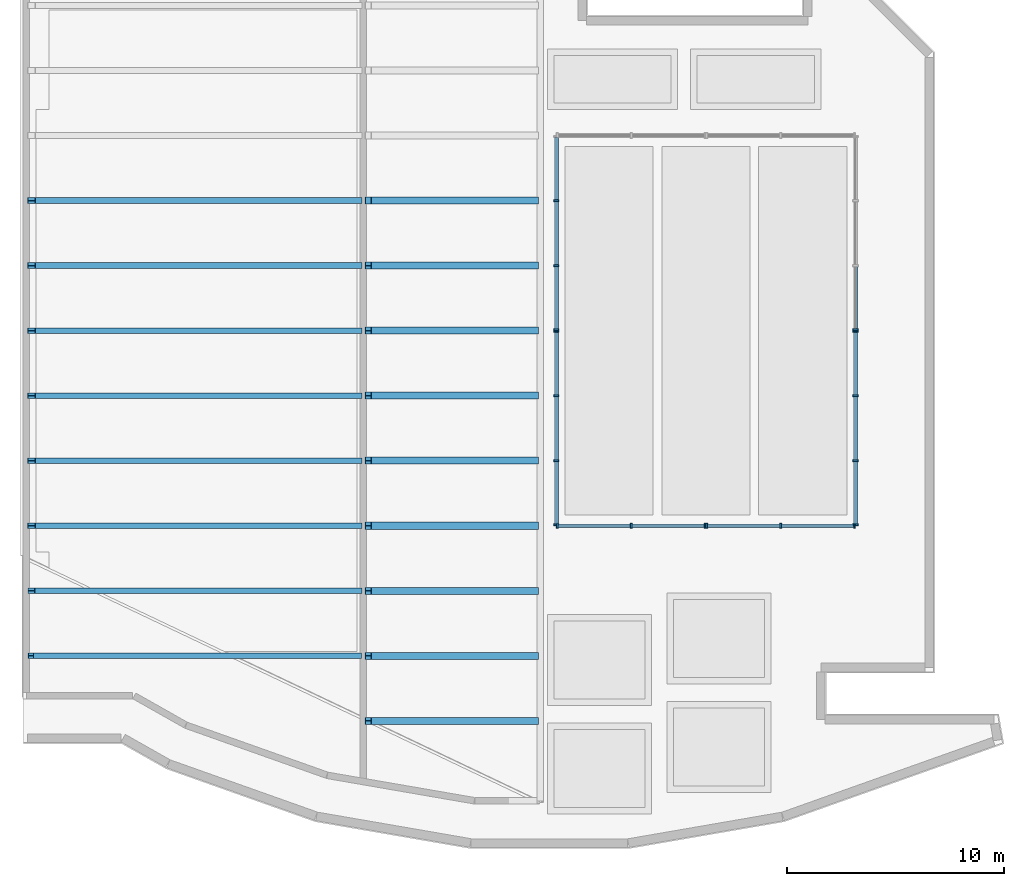
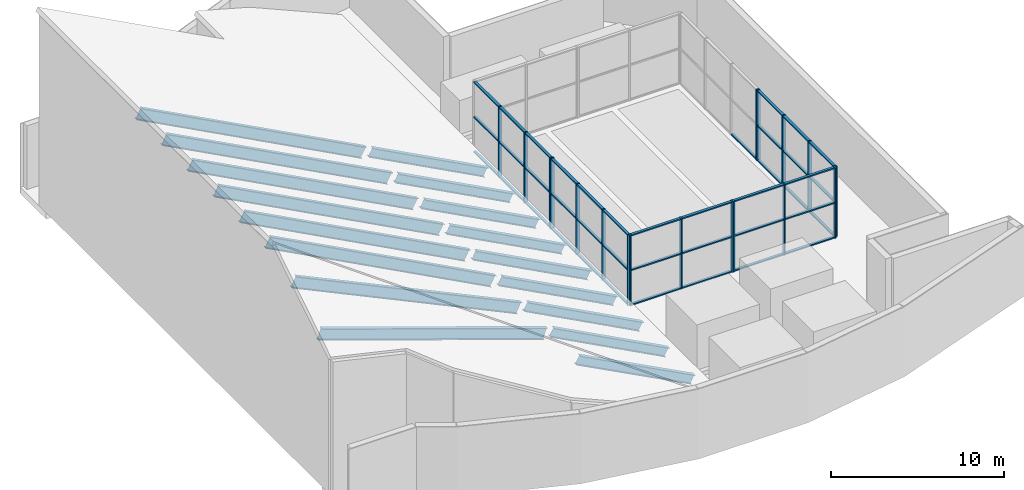
# One storey, part 1 of 6: 58 members, 17 beams, 6 elements without a shape of their own.
"""IFC4 building model written with IfcOpenShell, lengths in metres."""

import ifcopenshell
import ifcopenshell.guid

model = None  # the IFC model being written
_history = None  # IfcOwnerHistory: only IFC2X3 demands one
_inside = {}  # id of a spatial element -> (the spatial element, [elements in it])
_under = {}  # id of a project, library or spatial element -> (it, [spatial elements below it])
_declared = {}  # id of a project -> (the project, [libraries it declares])
_typed = {}  # id of a type object -> (the type object, [elements of that type])
_made_of = {}  # id of a material, layer set ... -> (it, [elements and type objects made of it])


def new_model(schema):
    """Start an empty IFC model of exactly this schema.

    Asked for "IFC4X3", IfcOpenShell would pick the latest addendum, in which some entities
    have other attributes; the version numbers below select the first issue.
    IFC2X3 requires an IfcOwnerHistory on every rooted entity: one is made here for all.
    """
    global model, _history
    if schema == "IFC4X3":
        model = ifcopenshell.file(schema_version=(4, 3, 0, 0))
    else:
        model = ifcopenshell.file(schema=schema)
    _inside.clear()
    _under.clear()
    _declared.clear()
    _typed.clear()
    _made_of.clear()
    _history = None
    if model.schema == "IFC2X3":
        org = make("IfcOrganization", Name="unknown")
        user = make(
            "IfcPersonAndOrganization",
            ThePerson=make("IfcPerson", FamilyName="unknown"),
            TheOrganization=org,
        )
        app = make(
            "IfcApplication",
            ApplicationDeveloper=org,
            Version="unknown",
            ApplicationFullName="unknown",
            ApplicationIdentifier="unknown",
        )
        _history = make(
            "IfcOwnerHistory",
            OwningUser=user,
            OwningApplication=app,
            ChangeAction="ADDED",
            CreationDate=0,
        )
    return model


def make(cls, **values):
    """One entity of the class cls with the attributes given. An attribute that is None is left unset."""
    return model.create_entity(
        cls, **{name: value for name, value in values.items() if value is not None}
    )


def rooted(cls, **values):
    """An entity with a GlobalId (a new one), such as an element, a storey or a relation."""
    return make(cls, GlobalId=ifcopenshell.guid.new(), OwnerHistory=_history, **values)


def si_unit(unit_type, name, prefix=None):
    """IfcSIUnit, for example si_unit("LENGTHUNIT", "METRE", prefix="MILLI")."""
    return make("IfcSIUnit", UnitType=unit_type, Prefix=prefix, Name=name)


def assignment(units):
    """IfcUnitAssignment: the units of a project."""
    return None if units is None else make("IfcUnitAssignment", Units=units)


def point(xyz):
    """IfcCartesianPoint."""
    return None if xyz is None else make("IfcCartesianPoint", Coordinates=xyz)


def direction(xyz):
    """IfcDirection."""
    return None if xyz is None else make("IfcDirection", DirectionRatios=xyz)


def frame(location, z_axis=None, x_axis=None):
    """IfcAxis2Placement3D, a coordinate frame: its origin and axes. An axis left out is left unset."""
    return make(
        "IfcAxis2Placement3D",
        Location=point(location),
        Axis=direction(z_axis),
        RefDirection=direction(x_axis),
    )


def frame_2d(location, x_axis=None):
    """IfcAxis2Placement2D, a coordinate frame in the plane: its origin and x axis."""
    return make(
        "IfcAxis2Placement2D", Location=point(location), RefDirection=direction(x_axis)
    )


def origin():
    """The frame at (0, 0, 0) with its axes left unset."""
    return frame((0.0, 0.0, 0.0))


def origin_2d():
    """The frame at (0, 0) in the plane with its x axis left unset."""
    return frame_2d((0.0, 0.0))


def place(relative_to, where):
    """IfcLocalPlacement: puts the frame where relative to a parent placement (None: the world)."""
    return make(
        "IfcLocalPlacement", PlacementRelTo=relative_to, RelativePlacement=where
    )


def context(
    kind, dimensions, precision=None, world=None, true_north=None, identifier=None
):
    """IfcGeometricRepresentationContext, for example the 3D "Model" context."""
    return make(
        "IfcGeometricRepresentationContext",
        ContextIdentifier=identifier,
        ContextType=kind,
        CoordinateSpaceDimension=dimensions,
        Precision=precision,
        WorldCoordinateSystem=world,
        TrueNorth=true_north,
    )


def subcontext(parent, identifier, kind, view, scale=None):
    """IfcGeometricRepresentationSubContext, for example "Body" below "Model"."""
    return make(
        "IfcGeometricRepresentationSubContext",
        ContextIdentifier=identifier,
        ContextType=kind,
        ParentContext=parent,
        TargetScale=scale,
        TargetView=view,
    )


def project(units=None, contexts=None):
    """IfcProject with its units and contexts."""
    return rooted(
        "IfcProject",
        Name="project",
        RepresentationContexts=contexts,
        UnitsInContext=assignment(units),
    )


def spatial(cls, under=None, at=None, **own):
    """A site, building, storey or space (cls), placed at a placement, below another one or the project."""
    s = rooted(cls, ObjectPlacement=at, **own)
    if under is not None:
        _under.setdefault(under.id(), (under, []))[1].append(s)
    return s


def profile(cls, at=None, kind="AREA", **sizes):
    """A parametric profile (cls). Its sizes go by their IFC names, for example OverallWidth=200.0."""
    return make(cls, ProfileType=kind, Position=at, **sizes)


def rectangle(**sizes):
    """IfcRectangleProfileDef."""
    return profile("IfcRectangleProfileDef", **sizes)


def i_section(**sizes):
    """IfcIShapeProfileDef."""
    return profile("IfcIShapeProfileDef", **sizes)


def extrude(swept, where, along, depth):
    """IfcExtrudedAreaSolid: the profile swept, set in the frame where, extruded along a direction by depth."""
    return make(
        "IfcExtrudedAreaSolid",
        SweptArea=swept,
        Position=where,
        ExtrudedDirection=direction(along),
        Depth=depth,
    )


def shape(context_of_items, identifier, shape_type, items):
    """IfcShapeRepresentation: the items that make up one representation, for example the "Body"."""
    return make(
        "IfcShapeRepresentation",
        ContextOfItems=context_of_items,
        RepresentationIdentifier=identifier,
        RepresentationType=shape_type,
        Items=items,
    )


def material(Name=None, Category=None):
    """IfcMaterial."""
    return make("IfcMaterial", Name=Name, Category=Category)


def material_profile(
    of_material, cross_section, Name=None, Category=None, Priority=None
):
    """IfcMaterialProfile: a cross section and its material."""
    return make(
        "IfcMaterialProfile",
        Name=Name,
        Material=of_material,
        Profile=cross_section,
        Priority=Priority,
        Category=Category,
    )


def profile_set(profiles, Name=None, composite=None):
    """IfcMaterialProfileSet."""
    return make(
        "IfcMaterialProfileSet",
        Name=Name,
        MaterialProfiles=profiles,
        CompositeProfile=composite,
    )


def made_of(thing, what):
    """Note that an element or type object is made of a material, layer set ...; save() writes the relation."""
    if what is not None:
        _made_of.setdefault(what.id(), (what, []))[1].append(thing)
    return thing


def type_object(cls, material=None, **own):
    """A type object (cls), such as IfcWallType, which elements share."""
    return made_of(rooted(cls, **own), material)


def element(
    cls,
    number,
    at=None,
    inside=None,
    cuts=None,
    type_object=None,
    material=None,
    context=None,
    identifier="Body",
    shape_type=None,
    held_by="IfcProductDefinitionShape",
    body=None,
    shapes=None,
    **own,
):
    """One element of the class cls, such as IfcWall. Its Tag is "e" and its number.

    at: its placement. inside: the storey or other place that contains it. cuts: it is an
    opening in that element (IfcRelVoidsElement). A single representation is given by context,
    identifier, shape_type and body (its items); several are given by shapes. held_by: the class
    of the entity that holds the representations. save() writes the other relations.
    """
    e = rooted(cls, Tag="e%d" % number, ObjectPlacement=at, **own)
    if body is not None:
        shapes = [shape(context, identifier, shape_type, body)]
    if shapes is not None:
        e.Representation = make(held_by, Representations=shapes)
    if inside is not None:
        _inside.setdefault(inside.id(), (inside, []))[1].append(e)
    if cuts is not None:
        rooted(
            "IfcRelVoidsElement", RelatingBuildingElement=cuts, RelatedOpeningElement=e
        )
    if type_object is not None:
        _typed.setdefault(type_object.id(), (type_object, []))[1].append(e)
    return made_of(e, material)


def aggregate(whole, parts):
    """IfcRelAggregates: a whole, such as a stair, and the parts it consists of."""
    return rooted("IfcRelAggregates", RelatingObject=whole, RelatedObjects=parts)


def save(model, path):
    """Write the relations noted so far, then the file.

    IfcRelAggregates (storeys below a building ...), IfcRelContainedInSpatialStructure (elements
    in a storey), IfcRelDefinesByType, IfcRelAssociatesMaterial and IfcRelDeclares: one each for
    every whole, place, type object, material and project.
    """
    for whole, parts in _under.values():
        aggregate(whole, parts)
    for where, things in _inside.values():
        rooted(
            "IfcRelContainedInSpatialStructure",
            RelatedElements=things,
            RelatingStructure=where,
        )
    for kind, things in _typed.values():
        rooted("IfcRelDefinesByType", RelatedObjects=things, RelatingType=kind)
    for what, things in _made_of.values():
        rooted("IfcRelAssociatesMaterial", RelatedObjects=things, RelatingMaterial=what)
    for by, libraries in _declared.values():
        rooted("IfcRelDeclares", RelatingContext=by, RelatedDefinitions=libraries)
    model.write(path)


model = new_model("IFC4")

# Units and contexts
model_context = context("Model", 3, precision=1e-05, world=origin(), true_north=direction((0.0, 1.0)))
body_context = subcontext(model_context, "Body", "Model", "MODEL_VIEW")
ifc_project = project(units=[si_unit("LENGTHUNIT", "METRE"), si_unit("AREAUNIT", "SQUARE_METRE"), si_unit("VOLUMEUNIT", "CUBIC_METRE"), si_unit("PLANEANGLEUNIT", "RADIAN"), si_unit("MASSUNIT", "GRAM", prefix="KILO")], contexts=[model_context])

# Site, building, storey
site_placement = place(None, origin())
site = spatial("IfcSite", under=ifc_project, at=site_placement, CompositionType="ELEMENT")
building_placement = place(site_placement, origin())
building = spatial("IfcBuilding", under=site, at=building_placement, Name="Cypress Arch Tower", CompositionType="ELEMENT")
storey_placement = place(building_placement, frame((0.0, 0.0, 359.0)))
storey = spatial("IfcBuildingStorey", under=building, at=storey_placement, Name="ROOF", CompositionType="ELEMENT", Elevation=359.0)

# Curtain wall, members
ifc_material_1 = material(Name="Anodised aluminium, bronze finish, clear laminated double glazing", Category="aluminium")
curtain_wall_type = type_object("IfcCurtainWallType", Name="Curtain wall CW4 atrium enclosure", PredefinedType="NOTDEFINED", material=ifc_material_1)
curtain_wall_1_placement = place(storey_placement, origin())
curtain_wall_1 = element("IfcCurtainWall", 1, at=curtain_wall_1_placement, inside=storey, type_object=curtain_wall_type, Name="Curtain wall lantern 1.1", PredefinedType="NOTDEFINED")
ifc_material_2 = material(Name="Anodised aluminium, bronze finish", Category="aluminium")
ifc_material_profile_1 = material_profile(ifc_material_2, rectangle(XDim=0.239990234375, YDim=0.0849609375, at=origin_2d()), Name="Mullion 85x240")
ifc_profile_set_1 = profile_set([ifc_material_profile_1], Name="Anodised aluminium, bronze finish")
member_type_1 = type_object("IfcMemberType", Name="Mullion CW4 85x240", PredefinedType="MULLION", material=ifc_profile_set_1)
member_1_placement = place(storey_placement, frame((-5.357421875, -9.0, 0.0), z_axis=(0.0, 0.0, 1.0), x_axis=(0.0, 1.0, 0.0)))
member_1 = element("IfcMember", 2, at=member_1_placement, type_object=member_type_1, Name="CW4 mullion 1", PredefinedType="MULLION", context=body_context, shape_type="SweptSolid", body=[
    extrude(rectangle(XDim=0.239990234375, YDim=0.0849609375, at=origin_2d()), origin(), (0.0, 0.0, 1.0), 5.0),
])
member_2_placement = place(storey_placement, frame((-1.949951171875, -9.0, 0.0), z_axis=(0.0, 0.0, 1.0), x_axis=(0.0, 1.0, 0.0)))
member_2 = element("IfcMember", 3, at=member_2_placement, type_object=member_type_1, Name="CW4 mullion 2", PredefinedType="MULLION", context=body_context, shape_type="SweptSolid", body=[
    extrude(rectangle(XDim=0.239990234375, YDim=0.0849609375, at=origin_2d()), origin(), (0.0, 0.0, 1.0), 5.0),
])
member_3_placement = place(storey_placement, frame((1.45751953125, -9.0, 0.0), z_axis=(0.0, 0.0, 1.0), x_axis=(0.0, 1.0, 0.0)))
member_3 = element("IfcMember", 4, at=member_3_placement, type_object=member_type_1, Name="CW4 mullion 3", PredefinedType="MULLION", context=body_context, shape_type="SweptSolid", body=[
    extrude(rectangle(XDim=0.239990234375, YDim=0.0849609375, at=origin_2d()), origin(), (0.0, 0.0, 1.0), 5.0),
])

curtain_wall_2_placement = place(storey_placement, origin())
curtain_wall_2 = element("IfcCurtainWall", 5, at=curtain_wall_2_placement, inside=storey, type_object=curtain_wall_type, Name="Curtain wall lantern 1.2", PredefinedType="NOTDEFINED")
member_4_placement = place(storey_placement, frame((1.54248046875, -9.0, 0.0), z_axis=(0.0, 0.0, 1.0), x_axis=(0.0, 1.0, 0.0)))
member_4 = element("IfcMember", 6, at=member_4_placement, type_object=member_type_1, Name="CW4 mullion 1", PredefinedType="MULLION", context=body_context, shape_type="SweptSolid", body=[
    extrude(rectangle(XDim=0.239990234375, YDim=0.0849609375, at=origin_2d()), origin(), (0.0, 0.0, 1.0), 5.0),
])
member_5_placement = place(storey_placement, frame((4.949951171875, -9.0, 0.0), z_axis=(0.0, 0.0, 1.0), x_axis=(0.0, 1.0, 0.0)))
member_5 = element("IfcMember", 7, at=member_5_placement, type_object=member_type_1, Name="CW4 mullion 2", PredefinedType="MULLION", context=body_context, shape_type="SweptSolid", body=[
    extrude(rectangle(XDim=0.239990234375, YDim=0.0849609375, at=origin_2d()), origin(), (0.0, 0.0, 1.0), 5.0),
])
member_6_placement = place(storey_placement, frame((8.357421875, -9.0, 0.0), z_axis=(0.0, 0.0, 1.0), x_axis=(0.0, 1.0, 0.0)))
member_6 = element("IfcMember", 8, at=member_6_placement, type_object=member_type_1, Name="CW4 mullion 3", PredefinedType="MULLION", context=body_context, shape_type="SweptSolid", body=[
    extrude(rectangle(XDim=0.239990234375, YDim=0.0849609375, at=origin_2d()), origin(), (0.0, 0.0, 1.0), 5.0),
])

curtain_wall_3_placement = place(storey_placement, origin())
curtain_wall_3 = element("IfcCurtainWall", 9, at=curtain_wall_3_placement, inside=storey, type_object=curtain_wall_type, Name="Curtain wall lantern 2.1", PredefinedType="NOTDEFINED")
member_7_placement = place(storey_placement, frame((8.39990234375, -8.95751953125, 0.0), z_axis=(0.0, 0.0, 1.0), x_axis=(-1.0, 0.0, 0.0)))
member_7 = element("IfcMember", 10, at=member_7_placement, type_object=member_type_1, Name="CW4 mullion 1", PredefinedType="MULLION", context=body_context, shape_type="SweptSolid", body=[
    extrude(rectangle(XDim=0.239990234375, YDim=0.0849609375, at=origin_2d()), origin(), (0.0, 0.0, 1.0), 5.0),
])
member_8_placement = place(storey_placement, frame((8.39990234375, -6.0, 0.0), z_axis=(0.0, 0.0, 1.0), x_axis=(-1.0, 0.0, 0.0)))
member_8 = element("IfcMember", 11, at=member_8_placement, type_object=member_type_1, Name="CW4 mullion 2", PredefinedType="MULLION", context=body_context, shape_type="SweptSolid", body=[
    extrude(rectangle(XDim=0.239990234375, YDim=0.0849609375, at=origin_2d()), origin(), (0.0, 0.0, 1.0), 5.0),
])
member_9_placement = place(storey_placement, frame((8.39990234375, -3.0, 0.0), z_axis=(0.0, 0.0, 1.0), x_axis=(-1.0, 0.0, 0.0)))
member_9 = element("IfcMember", 12, at=member_9_placement, type_object=member_type_1, Name="CW4 mullion 3", PredefinedType="MULLION", context=body_context, shape_type="SweptSolid", body=[
    extrude(rectangle(XDim=0.239990234375, YDim=0.0849609375, at=origin_2d()), origin(), (0.0, 0.0, 1.0), 5.0),
])
member_10_placement = place(storey_placement, frame((8.39990234375, -0.04248046875, 0.0), z_axis=(0.0, 0.0, 1.0), x_axis=(-1.0, 0.0, 0.0)))
member_10 = element("IfcMember", 13, at=member_10_placement, type_object=member_type_1, Name="CW4 mullion 4", PredefinedType="MULLION", context=body_context, shape_type="SweptSolid", body=[
    extrude(rectangle(XDim=0.239990234375, YDim=0.0849609375, at=origin_2d()), origin(), (0.0, 0.0, 1.0), 5.0),
])

# Curtain wall, member
curtain_wall_4_placement = place(storey_placement, origin())
curtain_wall_4 = element("IfcCurtainWall", 14, at=curtain_wall_4_placement, inside=storey, type_object=curtain_wall_type, Name="Curtain wall lantern 2.2", PredefinedType="NOTDEFINED")
member_11_placement = place(storey_placement, frame((8.39990234375, 0.04248046875, 0.0), z_axis=(0.0, 0.0, 1.0), x_axis=(-1.0, 0.0, 0.0)))
member_11 = element("IfcMember", 15, at=member_11_placement, type_object=member_type_1, Name="CW4 mullion 1", PredefinedType="MULLION", context=body_context, shape_type="SweptSolid", body=[
    extrude(rectangle(XDim=0.239990234375, YDim=0.0849609375, at=origin_2d()), origin(), (0.0, 0.0, 1.0), 5.0),
])

# Curtain wall, members
curtain_wall_5_placement = place(storey_placement, origin())
curtain_wall_5 = element("IfcCurtainWall", 16, at=curtain_wall_5_placement, inside=storey, type_object=curtain_wall_type, Name="Curtain wall lantern 4.1", PredefinedType="NOTDEFINED")
member_12_placement = place(storey_placement, frame((-5.39990234375, 6.0, 0.0), z_axis=(0.0, 0.0, 1.0), x_axis=(1.0, 0.0, 0.0)))
member_12 = element("IfcMember", 17, at=member_12_placement, type_object=member_type_1, Name="CW4 mullion 2", PredefinedType="MULLION", context=body_context, shape_type="SweptSolid", body=[
    extrude(rectangle(XDim=0.239990234375, YDim=0.0849609375, at=origin_2d()), origin(), (0.0, 0.0, 1.0), 5.0),
])
member_13_placement = place(storey_placement, frame((-5.39990234375, 3.0, 0.0), z_axis=(0.0, 0.0, 1.0), x_axis=(1.0, 0.0, 0.0)))
member_13 = element("IfcMember", 18, at=member_13_placement, type_object=member_type_1, Name="CW4 mullion 3", PredefinedType="MULLION", context=body_context, shape_type="SweptSolid", body=[
    extrude(rectangle(XDim=0.239990234375, YDim=0.0849609375, at=origin_2d()), origin(), (0.0, 0.0, 1.0), 5.0),
])
member_14_placement = place(storey_placement, frame((-5.39990234375, 0.04248046875, 0.0), z_axis=(0.0, 0.0, 1.0), x_axis=(1.0, 0.0, 0.0)))
member_14 = element("IfcMember", 19, at=member_14_placement, type_object=member_type_1, Name="CW4 mullion 4", PredefinedType="MULLION", context=body_context, shape_type="SweptSolid", body=[
    extrude(rectangle(XDim=0.239990234375, YDim=0.0849609375, at=origin_2d()), origin(), (0.0, 0.0, 1.0), 5.0),
])

curtain_wall_6_placement = place(storey_placement, origin())
curtain_wall_6 = element("IfcCurtainWall", 20, at=curtain_wall_6_placement, inside=storey, type_object=curtain_wall_type, Name="Curtain wall lantern 4.2", PredefinedType="NOTDEFINED")
member_15_placement = place(storey_placement, frame((-5.39990234375, -0.04248046875, 0.0), z_axis=(0.0, 0.0, 1.0), x_axis=(1.0, 0.0, 0.0)))
member_15 = element("IfcMember", 21, at=member_15_placement, type_object=member_type_1, Name="CW4 mullion 1", PredefinedType="MULLION", context=body_context, shape_type="SweptSolid", body=[
    extrude(rectangle(XDim=0.239990234375, YDim=0.0849609375, at=origin_2d()), origin(), (0.0, 0.0, 1.0), 5.0),
])
member_16_placement = place(storey_placement, frame((-5.39990234375, -3.0, 0.0), z_axis=(0.0, 0.0, 1.0), x_axis=(1.0, 0.0, 0.0)))
member_16 = element("IfcMember", 22, at=member_16_placement, type_object=member_type_1, Name="CW4 mullion 2", PredefinedType="MULLION", context=body_context, shape_type="SweptSolid", body=[
    extrude(rectangle(XDim=0.239990234375, YDim=0.0849609375, at=origin_2d()), origin(), (0.0, 0.0, 1.0), 5.0),
])
member_17_placement = place(storey_placement, frame((-5.39990234375, -6.0, 0.0), z_axis=(0.0, 0.0, 1.0), x_axis=(1.0, 0.0, 0.0)))
member_17 = element("IfcMember", 23, at=member_17_placement, type_object=member_type_1, Name="CW4 mullion 3", PredefinedType="MULLION", context=body_context, shape_type="SweptSolid", body=[
    extrude(rectangle(XDim=0.239990234375, YDim=0.0849609375, at=origin_2d()), origin(), (0.0, 0.0, 1.0), 5.0),
])
member_18_placement = place(storey_placement, frame((-5.39990234375, -8.95751953125, 0.0), z_axis=(0.0, 0.0, 1.0), x_axis=(1.0, 0.0, 0.0)))
member_18 = element("IfcMember", 24, at=member_18_placement, type_object=member_type_1, Name="CW4 mullion 4", PredefinedType="MULLION", context=body_context, shape_type="SweptSolid", body=[
    extrude(rectangle(XDim=0.239990234375, YDim=0.0849609375, at=origin_2d()), origin(), (0.0, 0.0, 1.0), 5.0),
])

# Beams
ifc_material_3 = material(Name="Steel ASTM A992", Category="steel")
ifc_material_profile_2 = material_profile(ifc_material_3, i_section(OverallWidth=0.3251953125, OverallDepth=0.612060546875, WebThickness=0.0126953125, FlangeThickness=0.01904296875, at=origin_2d()), Name="W24x104")
ifc_profile_set_2 = profile_set([ifc_material_profile_2], Name="Steel ASTM A992")
beam_type_1 = type_object("IfcBeamType", Name="Roof rafter W24x104 Steel ASTM A992", PredefinedType="BEAM", material=ifc_profile_set_2)
beam_1_placement = place(storey_placement, frame((-14.07861328125, -18.0, 4.665771484375), z_axis=(0.884875048929, 0.0, -0.465828453171), x_axis=(0.0, 1.0, 0.0)))
element("IfcBeam", 25, at=beam_1_placement, inside=storey, type_object=beam_type_1, Name="Roof rafter 12", PredefinedType="BEAM", context=body_context, shape_type="SweptSolid", body=[
    extrude(i_section(OverallWidth=0.3251953125, OverallDepth=0.612060546875, WebThickness=0.0126953125, FlangeThickness=0.01904296875, at=origin_2d()), origin(), (0.0, 0.0, 1.0), 8.7099609375),
])
for number, where, z_axis, x_axis, name in (
    (26, (-14.078125, -15.0, 4.808837890625), (0.882952326067, 0.0, -0.469462660807), (0.0, 1.0, 0.0), "Roof rafter 13"),
    (27, (-14.078125, -12.0, 4.808837890625), (0.882952326067, 0.0, -0.469462660807), (0.0, 1.0, 0.0), "Roof rafter 14"),
    (28, (-14.078125, -9.0, 4.808837890625), (0.882952326067, 0.0, -0.469462660807), (0.0, 1.0, 0.0), "Roof rafter 15"),
    (29, (-14.078125, -6.0, 4.808837890625), (0.882952326067, 0.0, -0.469462660807), (0.0, 1.0, 0.0), "Roof rafter 16"),
    (30, (-14.078125, -3.0, 4.808837890625), (0.882952326067, 0.0, -0.469462660807), (0.0, 1.0, 0.0), "Roof rafter 17"),
    (31, (-14.078125, 0.0, 4.808837890625), (0.882952326067, 0.0, -0.469462660807), (0.0, 1.0, 0.0), "Roof rafter 18"),
    (32, (-14.078125, 3.0, 4.808837890625), (0.882952326067, 0.0, -0.469462660807), (0.0, 1.0, 0.0), "Roof rafter 19"),
    (33, (-14.078125, 6.0, 4.808837890625), (0.882952326067, 0.0, -0.469462660807), (0.0, 1.0, 0.0), "Roof rafter 20"),
):
    element("IfcBeam", number, at=place(storey_placement, frame(where, z_axis=z_axis, x_axis=x_axis)), inside=storey, type_object=beam_type_1, Name=name, PredefinedType="BEAM", context=body_context, shape_type="SweptSolid", body=[
        extrude(i_section(OverallWidth=0.3251953125, OverallDepth=0.612060546875, WebThickness=0.0126953125, FlangeThickness=0.01904296875, at=origin_2d()), origin(), (0.0, 0.0, 1.0), 8.727783203125),
    ])
ifc_material_4 = material(Name="Steel ASTM A992", Category="steel")
ifc_material_profile_3 = material_profile(ifc_material_4, i_section(OverallWidth=0.2666015625, OverallDepth=0.77978515625, WebThickness=0.0166015625, FlangeThickness=0.030029296875, at=origin_2d()), Name="W30x148")
ifc_profile_set_3 = profile_set([ifc_material_profile_3], Name="Steel ASTM A992")
beam_type_2 = type_object("IfcBeamType", Name="Roof rafter W30x148 Steel ASTM A992", PredefinedType="BEAM", material=ifc_profile_set_3)
beam_2_placement = place(storey_placement, frame((-29.63623046875, -15.0, 10.12158203125), z_axis=(0.944816748082, 0.0, -0.327599317069), x_axis=(0.0, 1.0, 0.0)))
element("IfcBeam", 34, at=beam_2_placement, inside=storey, type_object=beam_type_2, Name="Roof rafter 1", PredefinedType="BEAM", context=body_context, shape_type="SweptSolid", body=[
    extrude(i_section(OverallWidth=0.2666015625, OverallDepth=0.77978515625, WebThickness=0.0166015625, FlangeThickness=0.030029296875, at=origin_2d()), origin(), (0.0, 0.0, 1.0), 16.005615234375),
])
beam_3_placement = place(storey_placement, frame((-29.616943359375, -12.0, 11.98779296875), z_axis=(0.904521528808, 0.0, -0.426427958655), x_axis=(0.0, 1.0, 0.0)))
element("IfcBeam", 35, at=beam_3_placement, inside=storey, type_object=beam_type_2, Name="Roof rafter 2", PredefinedType="BEAM", context=body_context, shape_type="SweptSolid", body=[
    extrude(i_section(OverallWidth=0.2666015625, OverallDepth=0.77978515625, WebThickness=0.0166015625, FlangeThickness=0.030029296875, at=origin_2d()), origin(), (0.0, 0.0, 1.0), 16.676025390625),
])
for number, where, z_axis, x_axis, name in (
    (36, (-29.6083984375, -9.0, 12.971435546875), (0.882947093895, 0.0, -0.4694725012), (0.0, 1.0, 0.0), "Roof rafter 3"),
    (37, (-29.6083984375, -6.0, 12.971435546875), (0.882947093895, 0.0, -0.4694725012), (0.0, 1.0, 0.0), "Roof rafter 4"),
    (38, (-29.6083984375, -3.0, 12.971435546875), (0.882947093895, 0.0, -0.4694725012), (0.0, 1.0, 0.0), "Roof rafter 5"),
    (39, (-29.6083984375, 0.0, 12.971435546875), (0.882947093895, 0.0, -0.4694725012), (0.0, 1.0, 0.0), "Roof rafter 6"),
    (40, (-29.6083984375, 3.0, 12.971435546875), (0.882947093895, 0.0, -0.4694725012), (0.0, 1.0, 0.0), "Roof rafter 7"),
    (41, (-29.6083984375, 6.0, 12.971435546875), (0.882947093895, 0.0, -0.4694725012), (0.0, 1.0, 0.0), "Roof rafter 8"),
):
    element("IfcBeam", number, at=place(storey_placement, frame(where, z_axis=z_axis, x_axis=x_axis)), inside=storey, type_object=beam_type_2, Name=name, PredefinedType="BEAM", context=body_context, shape_type="SweptSolid", body=[
        extrude(i_section(OverallWidth=0.2666015625, OverallDepth=0.77978515625, WebThickness=0.0166015625, FlangeThickness=0.030029296875, at=origin_2d()), origin(), (0.0, 0.0, 1.0), 17.064208984375),
    ])

# Member
ifc_material_5 = material(Name="Anodised aluminium, bronze finish", Category="aluminium")
ifc_material_profile_4 = material_profile(ifc_material_5, rectangle(XDim=0.179931640625, YDim=0.0849609375, at=origin_2d()), Name="Transom 85x180")
ifc_profile_set_4 = profile_set([ifc_material_profile_4], Name="Anodised aluminium, bronze finish")
member_type_2 = type_object("IfcMemberType", Name="Transom CW4 85x180", PredefinedType="USERDEFINED", material=ifc_profile_set_4)
member_19_placement = place(storey_placement, frame((-5.31494140625, -9.0, 0.04248046875), z_axis=(1.0, 0.0, 0.0), x_axis=(0.0, 1.0, 0.0)))
member_19 = element("IfcMember", 42, at=member_19_placement, type_object=member_type_2, Name="CW4 transom 1.1", ObjectType="TRANSOM", PredefinedType="USERDEFINED", context=body_context, shape_type="SweptSolid", body=[
    extrude(rectangle(XDim=0.179931640625, YDim=0.0849609375, at=origin_2d()), origin(), (0.0, 0.0, 1.0), 3.322509765625),
])

member_20_placement = place(storey_placement, frame((-5.31494140625, -9.0, 2.5), z_axis=(1.0, 0.0, 0.0), x_axis=(0.0, 1.0, 0.0)))
member_20 = element("IfcMember", 43, at=member_20_placement, type_object=member_type_2, Name="CW4 transom 1.2", ObjectType="TRANSOM", PredefinedType="USERDEFINED", context=body_context, shape_type="SweptSolid", body=[
    extrude(rectangle(XDim=0.179931640625, YDim=0.0849609375, at=origin_2d()), origin(), (0.0, 0.0, 1.0), 3.322509765625),
])

member_21_placement = place(storey_placement, frame((-5.31494140625, -9.0, 4.95751953125), z_axis=(1.0, 0.0, 0.0), x_axis=(0.0, 1.0, 0.0)))
member_21 = element("IfcMember", 44, at=member_21_placement, type_object=member_type_2, Name="CW4 transom 1.3", ObjectType="TRANSOM", PredefinedType="USERDEFINED", context=body_context, shape_type="SweptSolid", body=[
    extrude(rectangle(XDim=0.179931640625, YDim=0.0849609375, at=origin_2d()), origin(), (0.0, 0.0, 1.0), 3.322509765625),
])

member_22_placement = place(storey_placement, frame((-1.907470703125, -9.0, 0.04248046875), z_axis=(1.0, 0.0, 0.0), x_axis=(0.0, 1.0, 0.0)))
member_22 = element("IfcMember", 45, at=member_22_placement, type_object=member_type_2, Name="CW4 transom 2.1", ObjectType="TRANSOM", PredefinedType="USERDEFINED", context=body_context, shape_type="SweptSolid", body=[
    extrude(rectangle(XDim=0.179931640625, YDim=0.0849609375, at=origin_2d()), origin(), (0.0, 0.0, 1.0), 3.322509765625),
])

member_23_placement = place(storey_placement, frame((-1.907470703125, -9.0, 2.5), z_axis=(1.0, 0.0, 0.0), x_axis=(0.0, 1.0, 0.0)))
member_23 = element("IfcMember", 46, at=member_23_placement, type_object=member_type_2, Name="CW4 transom 2.2", ObjectType="TRANSOM", PredefinedType="USERDEFINED", context=body_context, shape_type="SweptSolid", body=[
    extrude(rectangle(XDim=0.179931640625, YDim=0.0849609375, at=origin_2d()), origin(), (0.0, 0.0, 1.0), 3.322509765625),
])

member_24_placement = place(storey_placement, frame((-1.907470703125, -9.0, 4.95751953125), z_axis=(1.0, 0.0, 0.0), x_axis=(0.0, 1.0, 0.0)))
member_24 = element("IfcMember", 47, at=member_24_placement, type_object=member_type_2, Name="CW4 transom 2.3", ObjectType="TRANSOM", PredefinedType="USERDEFINED", context=body_context, shape_type="SweptSolid", body=[
    extrude(rectangle(XDim=0.179931640625, YDim=0.0849609375, at=origin_2d()), origin(), (0.0, 0.0, 1.0), 3.322509765625),
])

aggregate(curtain_wall_1, [member_1, member_2, member_3, member_19, member_20, member_21, member_22, member_23, member_24])

member_25_placement = place(storey_placement, frame((1.5849609375, -9.0, 0.04248046875), z_axis=(1.0, 0.0, 0.0), x_axis=(0.0, 1.0, 0.0)))
member_25 = element("IfcMember", 48, at=member_25_placement, type_object=member_type_2, Name="CW4 transom 1.1", ObjectType="TRANSOM", PredefinedType="USERDEFINED", context=body_context, shape_type="SweptSolid", body=[
    extrude(rectangle(XDim=0.179931640625, YDim=0.0849609375, at=origin_2d()), origin(), (0.0, 0.0, 1.0), 3.322509765625),
])

member_26_placement = place(storey_placement, frame((1.5849609375, -9.0, 2.5), z_axis=(1.0, 0.0, 0.0), x_axis=(0.0, 1.0, 0.0)))
member_26 = element("IfcMember", 49, at=member_26_placement, type_object=member_type_2, Name="CW4 transom 1.2", ObjectType="TRANSOM", PredefinedType="USERDEFINED", context=body_context, shape_type="SweptSolid", body=[
    extrude(rectangle(XDim=0.179931640625, YDim=0.0849609375, at=origin_2d()), origin(), (0.0, 0.0, 1.0), 3.322509765625),
])

member_27_placement = place(storey_placement, frame((1.5849609375, -9.0, 4.95751953125), z_axis=(1.0, 0.0, 0.0), x_axis=(0.0, 1.0, 0.0)))
member_27 = element("IfcMember", 50, at=member_27_placement, type_object=member_type_2, Name="CW4 transom 1.3", ObjectType="TRANSOM", PredefinedType="USERDEFINED", context=body_context, shape_type="SweptSolid", body=[
    extrude(rectangle(XDim=0.179931640625, YDim=0.0849609375, at=origin_2d()), origin(), (0.0, 0.0, 1.0), 3.322509765625),
])

member_28_placement = place(storey_placement, frame((4.992431640625, -9.0, 0.04248046875), z_axis=(1.0, 0.0, 0.0), x_axis=(0.0, 1.0, 0.0)))
member_28 = element("IfcMember", 51, at=member_28_placement, type_object=member_type_2, Name="CW4 transom 2.1", ObjectType="TRANSOM", PredefinedType="USERDEFINED", context=body_context, shape_type="SweptSolid", body=[
    extrude(rectangle(XDim=0.179931640625, YDim=0.0849609375, at=origin_2d()), origin(), (0.0, 0.0, 1.0), 3.322509765625),
])

member_29_placement = place(storey_placement, frame((4.992431640625, -9.0, 2.5), z_axis=(1.0, 0.0, 0.0), x_axis=(0.0, 1.0, 0.0)))
member_29 = element("IfcMember", 52, at=member_29_placement, type_object=member_type_2, Name="CW4 transom 2.2", ObjectType="TRANSOM", PredefinedType="USERDEFINED", context=body_context, shape_type="SweptSolid", body=[
    extrude(rectangle(XDim=0.179931640625, YDim=0.0849609375, at=origin_2d()), origin(), (0.0, 0.0, 1.0), 3.322509765625),
])

member_30_placement = place(storey_placement, frame((4.992431640625, -9.0, 4.95751953125), z_axis=(1.0, 0.0, 0.0), x_axis=(0.0, 1.0, 0.0)))
member_30 = element("IfcMember", 53, at=member_30_placement, type_object=member_type_2, Name="CW4 transom 2.3", ObjectType="TRANSOM", PredefinedType="USERDEFINED", context=body_context, shape_type="SweptSolid", body=[
    extrude(rectangle(XDim=0.179931640625, YDim=0.0849609375, at=origin_2d()), origin(), (0.0, 0.0, 1.0), 3.322509765625),
])

aggregate(curtain_wall_2, [member_4, member_5, member_6, member_25, member_26, member_27, member_28, member_29, member_30])

member_31_placement = place(storey_placement, frame((8.39990234375, -8.9150390625, 0.04248046875), z_axis=(0.0, 1.0, 0.0), x_axis=(-1.0, 0.0, 0.0)))
member_31 = element("IfcMember", 54, at=member_31_placement, type_object=member_type_2, Name="CW4 transom 1.1", ObjectType="TRANSOM", PredefinedType="USERDEFINED", context=body_context, shape_type="SweptSolid", body=[
    extrude(rectangle(XDim=0.179931640625, YDim=0.0849609375, at=origin_2d()), origin(), (0.0, 0.0, 1.0), 2.87255859375),
])

member_32_placement = place(storey_placement, frame((8.39990234375, -8.9150390625, 2.5), z_axis=(0.0, 1.0, 0.0), x_axis=(-1.0, 0.0, 0.0)))
member_32 = element("IfcMember", 55, at=member_32_placement, type_object=member_type_2, Name="CW4 transom 1.2", ObjectType="TRANSOM", PredefinedType="USERDEFINED", context=body_context, shape_type="SweptSolid", body=[
    extrude(rectangle(XDim=0.179931640625, YDim=0.0849609375, at=origin_2d()), origin(), (0.0, 0.0, 1.0), 2.87255859375),
])

member_33_placement = place(storey_placement, frame((8.39990234375, -8.9150390625, 4.95751953125), z_axis=(0.0, 1.0, 0.0), x_axis=(-1.0, 0.0, 0.0)))
member_33 = element("IfcMember", 56, at=member_33_placement, type_object=member_type_2, Name="CW4 transom 1.3", ObjectType="TRANSOM", PredefinedType="USERDEFINED", context=body_context, shape_type="SweptSolid", body=[
    extrude(rectangle(XDim=0.179931640625, YDim=0.0849609375, at=origin_2d()), origin(), (0.0, 0.0, 1.0), 2.87255859375),
])

member_34_placement = place(storey_placement, frame((8.39990234375, -5.95751953125, 0.04248046875), z_axis=(0.0, 1.0, 0.0), x_axis=(-1.0, 0.0, 0.0)))
member_34 = element("IfcMember", 57, at=member_34_placement, type_object=member_type_2, Name="CW4 transom 2.1", ObjectType="TRANSOM", PredefinedType="USERDEFINED", context=body_context, shape_type="SweptSolid", body=[
    extrude(rectangle(XDim=0.179931640625, YDim=0.0849609375, at=origin_2d()), origin(), (0.0, 0.0, 1.0), 2.9150390625),
])

member_35_placement = place(storey_placement, frame((8.39990234375, -5.95751953125, 2.5), z_axis=(0.0, 1.0, 0.0), x_axis=(-1.0, 0.0, 0.0)))
member_35 = element("IfcMember", 58, at=member_35_placement, type_object=member_type_2, Name="CW4 transom 2.2", ObjectType="TRANSOM", PredefinedType="USERDEFINED", context=body_context, shape_type="SweptSolid", body=[
    extrude(rectangle(XDim=0.179931640625, YDim=0.0849609375, at=origin_2d()), origin(), (0.0, 0.0, 1.0), 2.9150390625),
])

member_36_placement = place(storey_placement, frame((8.39990234375, -5.95751953125, 4.95751953125), z_axis=(0.0, 1.0, 0.0), x_axis=(-1.0, 0.0, 0.0)))
member_36 = element("IfcMember", 59, at=member_36_placement, type_object=member_type_2, Name="CW4 transom 2.3", ObjectType="TRANSOM", PredefinedType="USERDEFINED", context=body_context, shape_type="SweptSolid", body=[
    extrude(rectangle(XDim=0.179931640625, YDim=0.0849609375, at=origin_2d()), origin(), (0.0, 0.0, 1.0), 2.9150390625),
])

member_37_placement = place(storey_placement, frame((8.39990234375, -2.95751953125, 0.04248046875), z_axis=(0.0, 1.0, 0.0), x_axis=(-1.0, 0.0, 0.0)))
member_37 = element("IfcMember", 60, at=member_37_placement, type_object=member_type_2, Name="CW4 transom 3.1", ObjectType="TRANSOM", PredefinedType="USERDEFINED", context=body_context, shape_type="SweptSolid", body=[
    extrude(rectangle(XDim=0.179931640625, YDim=0.0849609375, at=origin_2d()), origin(), (0.0, 0.0, 1.0), 2.87255859375),
])

member_38_placement = place(storey_placement, frame((8.39990234375, -2.95751953125, 2.5), z_axis=(0.0, 1.0, 0.0), x_axis=(-1.0, 0.0, 0.0)))
member_38 = element("IfcMember", 61, at=member_38_placement, type_object=member_type_2, Name="CW4 transom 3.2", ObjectType="TRANSOM", PredefinedType="USERDEFINED", context=body_context, shape_type="SweptSolid", body=[
    extrude(rectangle(XDim=0.179931640625, YDim=0.0849609375, at=origin_2d()), origin(), (0.0, 0.0, 1.0), 2.87255859375),
])

member_39_placement = place(storey_placement, frame((8.39990234375, -2.95751953125, 4.95751953125), z_axis=(0.0, 1.0, 0.0), x_axis=(-1.0, 0.0, 0.0)))
member_39 = element("IfcMember", 62, at=member_39_placement, type_object=member_type_2, Name="CW4 transom 3.3", ObjectType="TRANSOM", PredefinedType="USERDEFINED", context=body_context, shape_type="SweptSolid", body=[
    extrude(rectangle(XDim=0.179931640625, YDim=0.0849609375, at=origin_2d()), origin(), (0.0, 0.0, 1.0), 2.87255859375),
])

aggregate(curtain_wall_3, [member_7, member_8, member_9, member_10, member_31, member_32, member_33, member_34, member_35, member_36, member_37, member_38, member_39])

member_40_placement = place(storey_placement, frame((8.39990234375, 0.0849609375, 0.04248046875), z_axis=(0.0, 1.0, 0.0), x_axis=(-1.0, 0.0, 0.0)))
member_40 = element("IfcMember", 63, at=member_40_placement, type_object=member_type_2, Name="CW4 transom 1.1", ObjectType="TRANSOM", PredefinedType="USERDEFINED", context=body_context, shape_type="SweptSolid", body=[
    extrude(rectangle(XDim=0.179931640625, YDim=0.0849609375, at=origin_2d()), origin(), (0.0, 0.0, 1.0), 2.87255859375),
])

aggregate(curtain_wall_4, [member_11, member_40])

member_41_placement = place(storey_placement, frame((-5.39990234375, 8.9150390625, 0.04248046875), z_axis=(0.0, -1.0, 0.0), x_axis=(1.0, 0.0, 0.0)))
member_41 = element("IfcMember", 64, at=member_41_placement, type_object=member_type_2, Name="CW4 transom 1.1", ObjectType="TRANSOM", PredefinedType="USERDEFINED", context=body_context, shape_type="SweptSolid", body=[
    extrude(rectangle(XDim=0.179931640625, YDim=0.0849609375, at=origin_2d()), origin(), (0.0, 0.0, 1.0), 2.87255859375),
])

member_42_placement = place(storey_placement, frame((-5.39990234375, 8.9150390625, 2.5), z_axis=(0.0, -1.0, 0.0), x_axis=(1.0, 0.0, 0.0)))
member_42 = element("IfcMember", 65, at=member_42_placement, type_object=member_type_2, Name="CW4 transom 1.2", ObjectType="TRANSOM", PredefinedType="USERDEFINED", context=body_context, shape_type="SweptSolid", body=[
    extrude(rectangle(XDim=0.179931640625, YDim=0.0849609375, at=origin_2d()), origin(), (0.0, 0.0, 1.0), 2.87255859375),
])

member_43_placement = place(storey_placement, frame((-5.39990234375, 8.9150390625, 4.95751953125), z_axis=(0.0, -1.0, 0.0), x_axis=(1.0, 0.0, 0.0)))
member_43 = element("IfcMember", 66, at=member_43_placement, type_object=member_type_2, Name="CW4 transom 1.3", ObjectType="TRANSOM", PredefinedType="USERDEFINED", context=body_context, shape_type="SweptSolid", body=[
    extrude(rectangle(XDim=0.179931640625, YDim=0.0849609375, at=origin_2d()), origin(), (0.0, 0.0, 1.0), 2.87255859375),
])

member_44_placement = place(storey_placement, frame((-5.39990234375, 5.95751953125, 0.04248046875), z_axis=(0.0, -1.0, 0.0), x_axis=(1.0, 0.0, 0.0)))
member_44 = element("IfcMember", 67, at=member_44_placement, type_object=member_type_2, Name="CW4 transom 2.1", ObjectType="TRANSOM", PredefinedType="USERDEFINED", context=body_context, shape_type="SweptSolid", body=[
    extrude(rectangle(XDim=0.179931640625, YDim=0.0849609375, at=origin_2d()), origin(), (0.0, 0.0, 1.0), 2.9150390625),
])

member_45_placement = place(storey_placement, frame((-5.39990234375, 5.95751953125, 2.5), z_axis=(0.0, -1.0, 0.0), x_axis=(1.0, 0.0, 0.0)))
member_45 = element("IfcMember", 68, at=member_45_placement, type_object=member_type_2, Name="CW4 transom 2.2", ObjectType="TRANSOM", PredefinedType="USERDEFINED", context=body_context, shape_type="SweptSolid", body=[
    extrude(rectangle(XDim=0.179931640625, YDim=0.0849609375, at=origin_2d()), origin(), (0.0, 0.0, 1.0), 2.9150390625),
])

member_46_placement = place(storey_placement, frame((-5.39990234375, 5.95751953125, 4.95751953125), z_axis=(0.0, -1.0, 0.0), x_axis=(1.0, 0.0, 0.0)))
member_46 = element("IfcMember", 69, at=member_46_placement, type_object=member_type_2, Name="CW4 transom 2.3", ObjectType="TRANSOM", PredefinedType="USERDEFINED", context=body_context, shape_type="SweptSolid", body=[
    extrude(rectangle(XDim=0.179931640625, YDim=0.0849609375, at=origin_2d()), origin(), (0.0, 0.0, 1.0), 2.9150390625),
])

member_47_placement = place(storey_placement, frame((-5.39990234375, 2.95751953125, 0.04248046875), z_axis=(0.0, -1.0, 0.0), x_axis=(1.0, 0.0, 0.0)))
member_47 = element("IfcMember", 70, at=member_47_placement, type_object=member_type_2, Name="CW4 transom 3.1", ObjectType="TRANSOM", PredefinedType="USERDEFINED", context=body_context, shape_type="SweptSolid", body=[
    extrude(rectangle(XDim=0.179931640625, YDim=0.0849609375, at=origin_2d()), origin(), (0.0, 0.0, 1.0), 2.87255859375),
])

member_48_placement = place(storey_placement, frame((-5.39990234375, 2.95751953125, 2.5), z_axis=(0.0, -1.0, 0.0), x_axis=(1.0, 0.0, 0.0)))
member_48 = element("IfcMember", 71, at=member_48_placement, type_object=member_type_2, Name="CW4 transom 3.2", ObjectType="TRANSOM", PredefinedType="USERDEFINED", context=body_context, shape_type="SweptSolid", body=[
    extrude(rectangle(XDim=0.179931640625, YDim=0.0849609375, at=origin_2d()), origin(), (0.0, 0.0, 1.0), 2.87255859375),
])

member_49_placement = place(storey_placement, frame((-5.39990234375, 2.95751953125, 4.95751953125), z_axis=(0.0, -1.0, 0.0), x_axis=(1.0, 0.0, 0.0)))
member_49 = element("IfcMember", 72, at=member_49_placement, type_object=member_type_2, Name="CW4 transom 3.3", ObjectType="TRANSOM", PredefinedType="USERDEFINED", context=body_context, shape_type="SweptSolid", body=[
    extrude(rectangle(XDim=0.179931640625, YDim=0.0849609375, at=origin_2d()), origin(), (0.0, 0.0, 1.0), 2.87255859375),
])

aggregate(curtain_wall_5, [member_12, member_13, member_14, member_41, member_42, member_43, member_44, member_45, member_46, member_47, member_48, member_49])

member_50_placement = place(storey_placement, frame((-5.39990234375, -0.0849609375, 0.04248046875), z_axis=(0.0, -1.0, 0.0), x_axis=(1.0, 0.0, 0.0)))
member_50 = element("IfcMember", 73, at=member_50_placement, type_object=member_type_2, Name="CW4 transom 1.1", ObjectType="TRANSOM", PredefinedType="USERDEFINED", context=body_context, shape_type="SweptSolid", body=[
    extrude(rectangle(XDim=0.179931640625, YDim=0.0849609375, at=origin_2d()), origin(), (0.0, 0.0, 1.0), 2.87255859375),
])

member_51_placement = place(storey_placement, frame((-5.39990234375, -0.0849609375, 2.5), z_axis=(0.0, -1.0, 0.0), x_axis=(1.0, 0.0, 0.0)))
member_51 = element("IfcMember", 74, at=member_51_placement, type_object=member_type_2, Name="CW4 transom 1.2", ObjectType="TRANSOM", PredefinedType="USERDEFINED", context=body_context, shape_type="SweptSolid", body=[
    extrude(rectangle(XDim=0.179931640625, YDim=0.0849609375, at=origin_2d()), origin(), (0.0, 0.0, 1.0), 2.87255859375),
])

member_52_placement = place(storey_placement, frame((-5.39990234375, -0.0849609375, 4.95751953125), z_axis=(0.0, -1.0, 0.0), x_axis=(1.0, 0.0, 0.0)))
member_52 = element("IfcMember", 75, at=member_52_placement, type_object=member_type_2, Name="CW4 transom 1.3", ObjectType="TRANSOM", PredefinedType="USERDEFINED", context=body_context, shape_type="SweptSolid", body=[
    extrude(rectangle(XDim=0.179931640625, YDim=0.0849609375, at=origin_2d()), origin(), (0.0, 0.0, 1.0), 2.87255859375),
])

member_53_placement = place(storey_placement, frame((-5.39990234375, -3.04248046875, 0.04248046875), z_axis=(0.0, -1.0, 0.0), x_axis=(1.0, 0.0, 0.0)))
member_53 = element("IfcMember", 76, at=member_53_placement, type_object=member_type_2, Name="CW4 transom 2.1", ObjectType="TRANSOM", PredefinedType="USERDEFINED", context=body_context, shape_type="SweptSolid", body=[
    extrude(rectangle(XDim=0.179931640625, YDim=0.0849609375, at=origin_2d()), origin(), (0.0, 0.0, 1.0), 2.9150390625),
])

member_54_placement = place(storey_placement, frame((-5.39990234375, -3.04248046875, 2.5), z_axis=(0.0, -1.0, 0.0), x_axis=(1.0, 0.0, 0.0)))
member_54 = element("IfcMember", 77, at=member_54_placement, type_object=member_type_2, Name="CW4 transom 2.2", ObjectType="TRANSOM", PredefinedType="USERDEFINED", context=body_context, shape_type="SweptSolid", body=[
    extrude(rectangle(XDim=0.179931640625, YDim=0.0849609375, at=origin_2d()), origin(), (0.0, 0.0, 1.0), 2.9150390625),
])

member_55_placement = place(storey_placement, frame((-5.39990234375, -3.04248046875, 4.95751953125), z_axis=(0.0, -1.0, 0.0), x_axis=(1.0, 0.0, 0.0)))
member_55 = element("IfcMember", 78, at=member_55_placement, type_object=member_type_2, Name="CW4 transom 2.3", ObjectType="TRANSOM", PredefinedType="USERDEFINED", context=body_context, shape_type="SweptSolid", body=[
    extrude(rectangle(XDim=0.179931640625, YDim=0.0849609375, at=origin_2d()), origin(), (0.0, 0.0, 1.0), 2.9150390625),
])

member_56_placement = place(storey_placement, frame((-5.39990234375, -6.04248046875, 0.04248046875), z_axis=(0.0, -1.0, 0.0), x_axis=(1.0, 0.0, 0.0)))
member_56 = element("IfcMember", 79, at=member_56_placement, type_object=member_type_2, Name="CW4 transom 3.1", ObjectType="TRANSOM", PredefinedType="USERDEFINED", context=body_context, shape_type="SweptSolid", body=[
    extrude(rectangle(XDim=0.179931640625, YDim=0.0849609375, at=origin_2d()), origin(), (0.0, 0.0, 1.0), 2.87255859375),
])

member_57_placement = place(storey_placement, frame((-5.39990234375, -6.04248046875, 2.5), z_axis=(0.0, -1.0, 0.0), x_axis=(1.0, 0.0, 0.0)))
member_57 = element("IfcMember", 80, at=member_57_placement, type_object=member_type_2, Name="CW4 transom 3.2", ObjectType="TRANSOM", PredefinedType="USERDEFINED", context=body_context, shape_type="SweptSolid", body=[
    extrude(rectangle(XDim=0.179931640625, YDim=0.0849609375, at=origin_2d()), origin(), (0.0, 0.0, 1.0), 2.87255859375),
])

member_58_placement = place(storey_placement, frame((-5.39990234375, -6.04248046875, 4.95751953125), z_axis=(0.0, -1.0, 0.0), x_axis=(1.0, 0.0, 0.0)))
member_58 = element("IfcMember", 81, at=member_58_placement, type_object=member_type_2, Name="CW4 transom 3.3", ObjectType="TRANSOM", PredefinedType="USERDEFINED", context=body_context, shape_type="SweptSolid", body=[
    extrude(rectangle(XDim=0.179931640625, YDim=0.0849609375, at=origin_2d()), origin(), (0.0, 0.0, 1.0), 2.87255859375),
])

aggregate(curtain_wall_6, [member_15, member_16, member_17, member_18, member_50, member_51, member_52, member_53, member_54, member_55, member_56, member_57, member_58])

save(model, "model.ifc")
